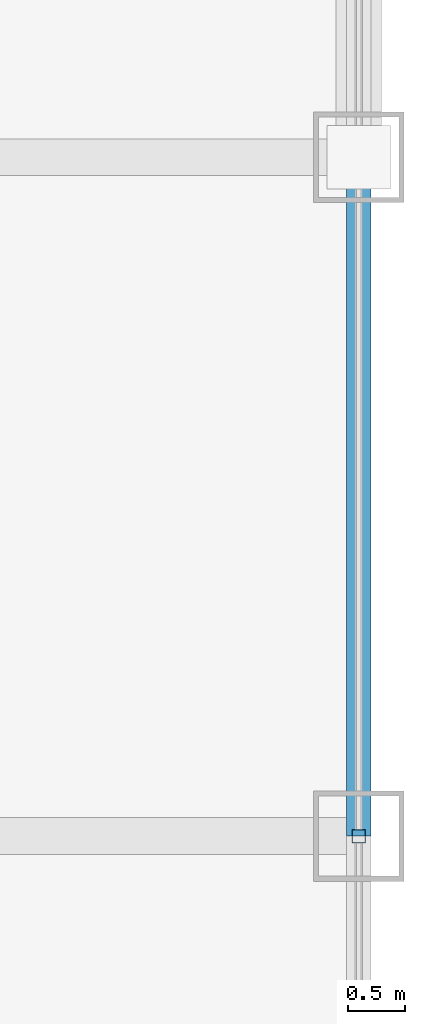
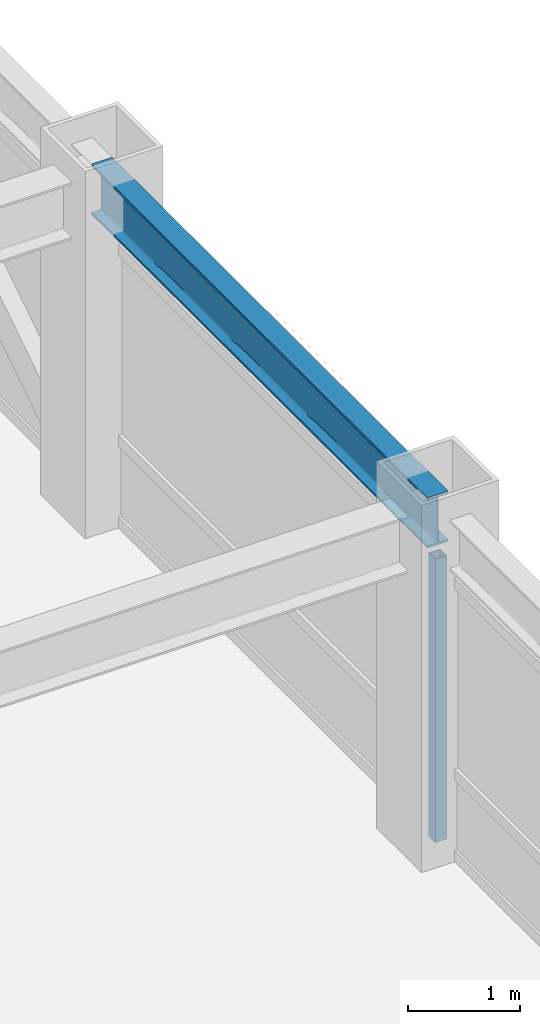
# One storey, part 13 of 30: 1 beam, 1 member, 1 element without a shape of its own.
"""IFC4 building model written with IfcOpenShell, lengths in metres."""

from ifc_helpers import new_model, si_unit, direction, frame, origin, origin_2d, place, context, subcontext, project, spatial, hollow_rectangle, i_section, extrude, source, transform, mapped, material, material_profile, profile_set, type_object, element, aggregate, save


model = new_model("IFC4")

# Units and contexts
model_context = context("Model", 3, precision=1e-05, world=origin(), true_north=direction((0.0, 1.0)))
body_context = subcontext(model_context, "Body", "Model", "MODEL_VIEW")
ifc_project = project(units=[si_unit("LENGTHUNIT", "METRE"), si_unit("AREAUNIT", "SQUARE_METRE"), si_unit("VOLUMEUNIT", "CUBIC_METRE"), si_unit("PLANEANGLEUNIT", "RADIAN"), si_unit("MASSUNIT", "GRAM", prefix="KILO")], contexts=[model_context])

# Site, building, storey
site_placement = place(None, origin())
site = spatial("IfcSite", under=ifc_project, at=site_placement, CompositionType="ELEMENT")
building_placement = place(site_placement, origin())
building = spatial("IfcBuilding", under=site, at=building_placement, Name="Khorayat Bourse Tower", CompositionType="ELEMENT")
storey_placement = place(building_placement, frame((0.0, 0.0, 326.300048828125)))
storey = spatial("IfcBuildingStorey", under=building, at=storey_placement, Name="L77", CompositionType="ELEMENT", Elevation=326.300048828125)

# Beam
ifc_material_1 = material(Name="Steel ASTM A992 Grade 50", Category="steel")
ifc_material_profile_1 = material_profile(ifc_material_1, i_section(OverallWidth=0.214111328125, OverallDepth=0.549072265625, WebThickness=0.0146484375, FlangeThickness=0.023681640625, FilletRadius=0.013916015625, at=origin_2d()), Name="W530X138")
ifc_profile_set_1 = profile_set([ifc_material_profile_1], Name="Steel ASTM A992 Grade 50")
beam_type = type_object("IfcBeamType", Name="BM-SPAN-530", PredefinedType="SPANDREL", material=ifc_profile_set_1)
shared_shape_1 = source(origin(), body_context, "Body", "SweptSolid", [
    extrude(i_section(OverallWidth=0.214111328125, OverallDepth=0.549072265625, WebThickness=0.0146484375, FlangeThickness=0.023681640625, FilletRadius=0.013916015625, at=origin_2d()), origin(), (0.0, 0.0, 1.0), 6.0),
])
beam_placement = place(storey_placement, frame((26.0, 0.0, 3.46533203125), z_axis=(0.0, 1.0, 0.0), x_axis=(-1.0, 0.0, 0.0)))
element("IfcBeam", 1, at=beam_placement, inside=storey, type_object=beam_type, Name="L77 BM-SPAN-530 BM-L77-SPN-035", PredefinedType="SPANDREL", context=body_context, shape_type="MappedRepresentation", body=[
    mapped(shared_shape_1, transform((0.0, 0.0, 0.0), scale=1.0)),
])

# Curtain wall, member
ifc_material_2 = material(Name="Aluminium EN AW-6063 T6", Category="aluminium")
curtain_wall_type = type_object("IfcCurtainWallType", Name="CW-SYS-04", PredefinedType="NOTDEFINED", material=ifc_material_2)
curtain_wall_placement = place(storey_placement, origin())
curtain_wall = element("IfcCurtainWall", 2, at=curtain_wall_placement, inside=storey, type_object=curtain_wall_type, Name="L77 Curtain Wall CW-L77-E1", PredefinedType="NOTDEFINED")
ifc_material_profile_2 = material_profile(ifc_material_2, hollow_rectangle(XDim=0.1201171875, YDim=0.1201171875, WallThickness=0.0048828125, at=origin_2d()), Name="ALU 120x120x5")
ifc_profile_set_2 = profile_set([ifc_material_profile_2], Name="Aluminium EN AW-6063 T6")
member_type = type_object("IfcMemberType", Name="CWM-VERT-120", PredefinedType="MULLION", material=ifc_profile_set_2)
shared_shape_2 = source(origin(), body_context, "Body", "SweptSolid", [
    extrude(hollow_rectangle(XDim=0.1201171875, YDim=0.1201171875, WallThickness=0.0048828125, at=origin_2d()), origin(), (0.0, 0.0, 1.0), 3.08984375),
])
member_placement = place(storey_placement, frame((26.0, 0.0, 0.0), z_axis=(0.0, 0.0, 1.0), x_axis=(-1.0, 0.0, 0.0)))
member = element("IfcMember", 3, at=member_placement, type_object=member_type, Name="CW-L77-E1 Vertical Mullion 2", PredefinedType="MULLION", context=body_context, shape_type="MappedRepresentation", body=[
    mapped(shared_shape_2, transform((0.0, 0.0, 0.0), scale=1.0)),
])
aggregate(curtain_wall, [member])

save(model, "model.ifc")
